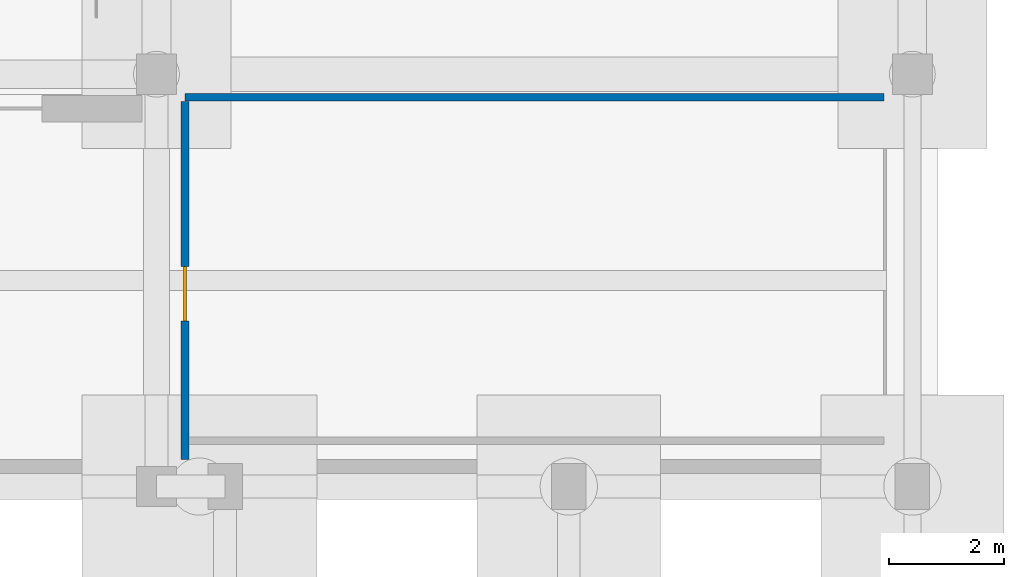
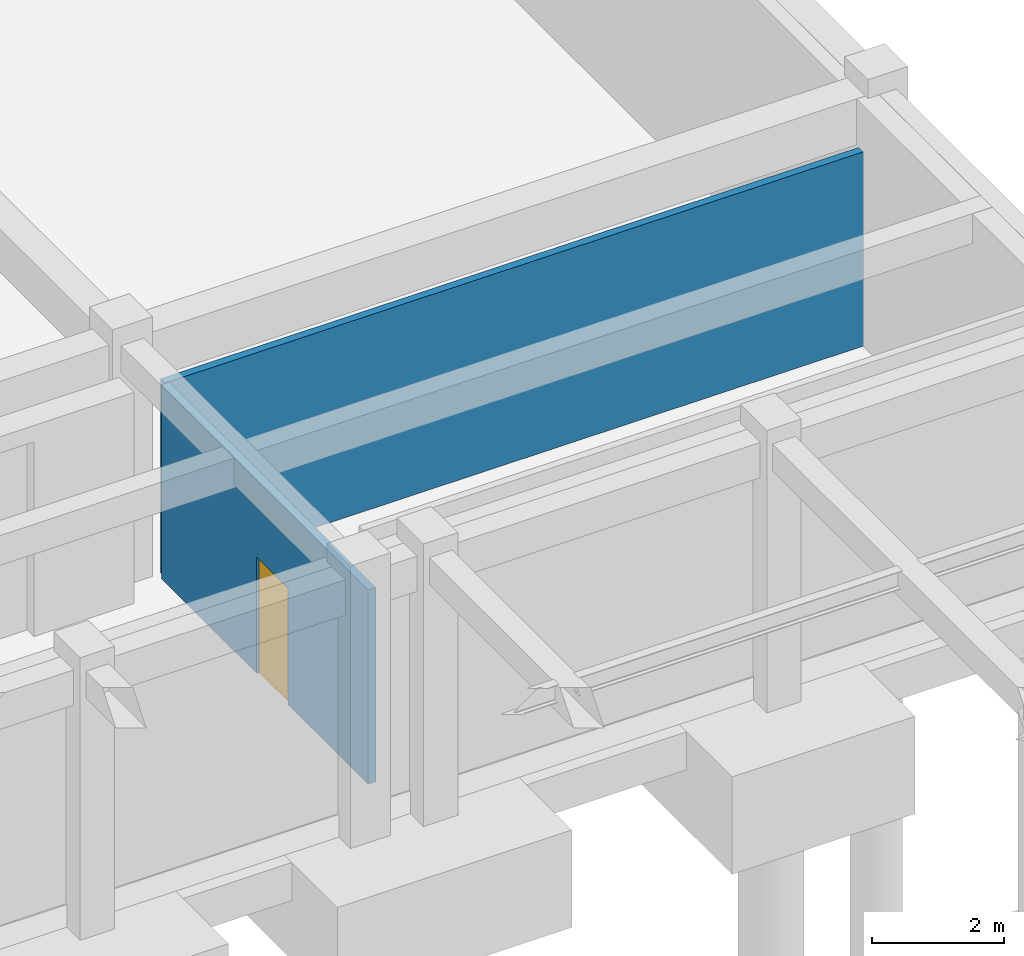
# One storey, part 26 of 37: 2 walls, 1 door, 1 opening.
"""IFC4 building model written with IfcOpenShell, lengths in metres."""

from ifc_helpers import new_model, si_unit, direction, frame, frame_2d, origin, place, context, subcontext, project, spatial, rectangle, extrude, material, layer, layer_set, type_object, element, fill, save


model = new_model("IFC4")

# Units and contexts
model_context = context("Model", 3, precision=1e-05, world=origin(), true_north=direction((0.0, 1.0)))
body_context = subcontext(model_context, "Body", "Model", "MODEL_VIEW")
ifc_project = project(units=[si_unit("LENGTHUNIT", "METRE"), si_unit("AREAUNIT", "SQUARE_METRE"), si_unit("VOLUMEUNIT", "CUBIC_METRE"), si_unit("PLANEANGLEUNIT", "RADIAN"), si_unit("MASSUNIT", "GRAM", prefix="KILO")], contexts=[model_context])

# Site, building, storey
site_placement = place(None, origin())
site = spatial("IfcSite", under=ifc_project, at=site_placement, CompositionType="ELEMENT")
building_placement = place(site_placement, origin())
building = spatial("IfcBuilding", under=site, at=building_placement, Name="Tarnavel Promenade Courthouse", CompositionType="ELEMENT")
storey_placement = place(building_placement, frame((0.0, 0.0, -4.800048828125)))
storey = spatial("IfcBuildingStorey", under=building, at=storey_placement, Name="B01", CompositionType="ELEMENT", Elevation=-4.800048828125)

# Wall
ifc_material_1 = material(Name="Metal-Stud Acoustic Gypsum Partition", Category="gypsum")
ifc_layer = layer(ifc_material_1, 0.135009765625)
ifc_layer_set = layer_set([ifc_layer], Name="Metal-Stud Acoustic Gypsum Partition")
wall_type = type_object("IfcWallType", Name="Metal-Stud Acoustic Gypsum Partition WL-OFF-135 (135 mm)", PredefinedType="PARTITIONING", material=ifc_layer_set)
wall_1_placement = place(storey_placement, frame((149.300048828125, 74.0, 0.0), z_axis=(0.0, 0.0, 1.0), x_axis=(1.0, 0.0, 0.0)))
element("IfcWall", 1, at=wall_1_placement, inside=storey, type_object=wall_type, Name="B01 Judicial Car Park Far-East Bays Partition 0080", PredefinedType="PARTITIONING", context=body_context, shape_type="SweptSolid", body=[
    extrude(rectangle(XDim=12.2060546875, YDim=0.135009765625, at=frame_2d((6.10302734375, 0.0))), origin(), (0.0, 0.0, 1.0), 3.590087890625),
])

# Wall, opening, door
wall_2_placement = place(storey_placement, frame((149.300048828125, 67.6689453125, 0.0), z_axis=(0.0, 0.0, 1.0), x_axis=(0.0, 1.0, 0.0)))
wall_2 = element("IfcWall", 2, at=wall_2_placement, inside=storey, type_object=wall_type, Name="B01 Judicial Car Park Far-East Bays Partition 0082", PredefinedType="PARTITIONING", context=body_context, shape_type="SweptSolid", body=[
    extrude(rectangle(XDim=6.253662109375, YDim=0.135009765625, at=frame_2d((3.126953125, 0.0))), origin(), (0.0, 0.0, 1.0), 3.590087890625),
])
opening_placement = place(wall_2_placement, frame((2.421630859375, 0.0, 0.0)))
opening = element("IfcOpeningElement", 3, at=opening_placement, cuts=wall_2, Name="Opening ID-06", PredefinedType="OPENING", context=body_context, shape_type="SweptSolid", body=[
    extrude(rectangle(XDim=0.949951171875, YDim=2.14990234375, at=frame_2d((0.47509765625, 1.074951171875))), frame((0.0, 0.077392578125, 0.0), z_axis=(0.0, -1.0, 0.0), x_axis=(1.0, 0.0, 0.0)), (0.0, 0.0, 1.0), 0.155029296875),
])
ifc_material_2 = material(Name="Acoustic Timber Veneer Office Door", Category="wood")
door_type = type_object("IfcDoorType", Name="Acoustic Timber Veneer Office Door (DR-OFF-0950x2150)", OperationType="NOTDEFINED", PredefinedType="DOOR", material=ifc_material_2)
door_placement = place(opening_placement, origin())
door = element("IfcDoor", 4, at=door_placement, inside=storey, type_object=door_type, Name="B01 Judicial Car Park Far-East Bays Door 0023", OperationType="SINGLE_SWING_LEFT", OverallHeight=2.14990234375, OverallWidth=0.949951171875, PredefinedType="DOOR", context=body_context, shape_type="SweptSolid", body=[
    extrude(rectangle(XDim=0.949951171875, YDim=2.14990234375, at=frame_2d((0.47509765625, 1.074951171875))), frame((0.0, 0.02490234375, 0.0), z_axis=(0.0, -1.0, 0.0), x_axis=(1.0, 0.0, 0.0)), (0.0, 0.0, 1.0), 0.050048828125),
])
fill(opening, door)

save(model, "model.ifc")
